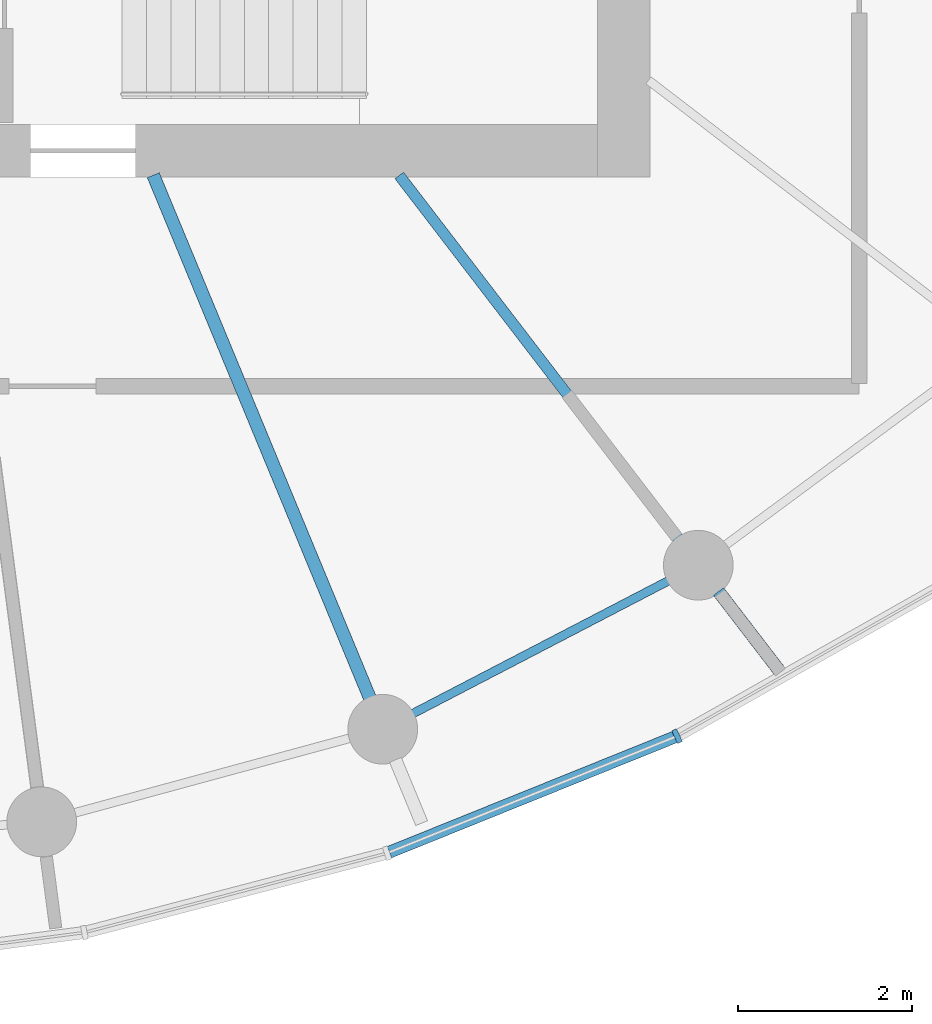
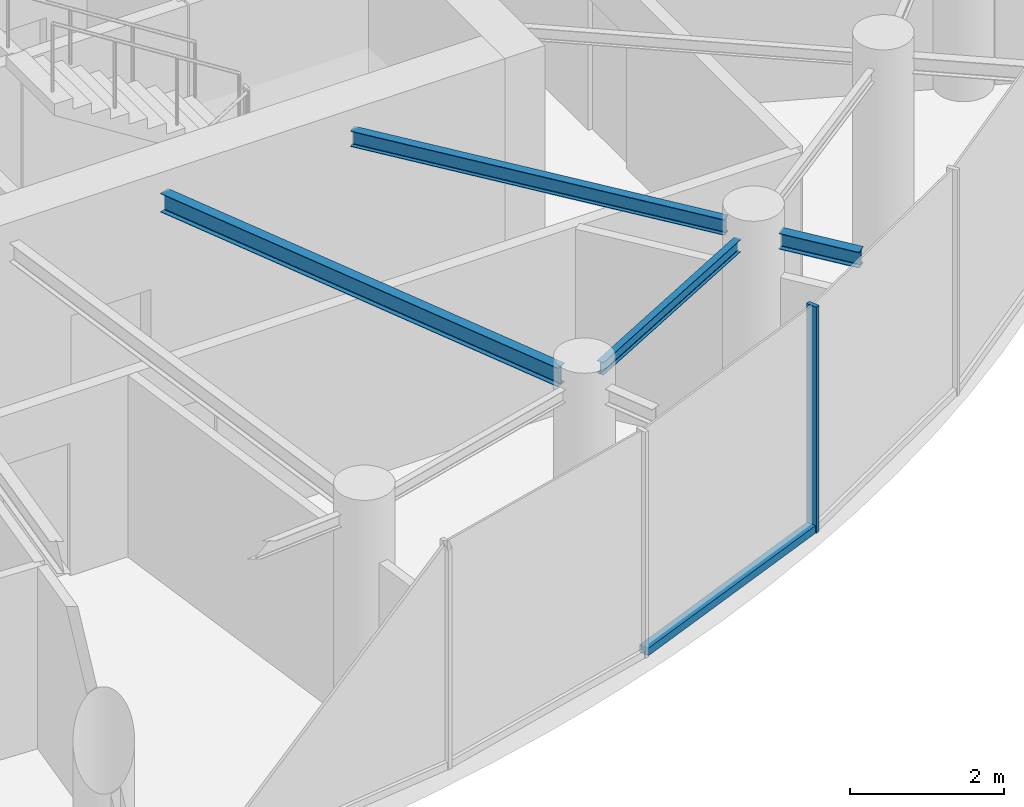
# One storey, part 3 of 13: 4 beams, 2 members, 1 element without a shape of its own.
"""IFC4 building model written with IfcOpenShell, lengths in metres."""

from ifc_helpers import new_model, si_unit, direction, frame, origin, origin_2d, place, context, subcontext, project, spatial, rectangle, i_section, extrude, source, transform, mapped, material, layer, layer_set, material_profile, profile_set, type_object, element, aggregate, save


model = new_model("IFC4")

# Units and contexts
model_context = context("Model", 3, precision=1e-05, world=origin(), true_north=direction((0.0, 1.0)))
body_context = subcontext(model_context, "Body", "Model", "MODEL_VIEW")
ifc_project = project(units=[si_unit("LENGTHUNIT", "METRE"), si_unit("AREAUNIT", "SQUARE_METRE"), si_unit("VOLUMEUNIT", "CUBIC_METRE"), si_unit("PLANEANGLEUNIT", "RADIAN"), si_unit("MASSUNIT", "GRAM", prefix="KILO")], contexts=[model_context])

# Site, building, storey
site_placement = place(None, origin())
site = spatial("IfcSite", under=ifc_project, at=site_placement, CompositionType="ELEMENT")
building_placement = place(site_placement, origin())
building = spatial("IfcBuilding", under=site, at=building_placement, Name="Spindrift Exchange Tower", CompositionType="ELEMENT")
storey_placement = place(building_placement, frame((0.0, 0.0, 257.89990234375)))
storey = spatial("IfcBuildingStorey", under=building, at=storey_placement, Name="L63", CompositionType="ELEMENT", Elevation=257.89990234375)

# Beams
ifc_material_1 = material(Name="Steel Grade 300", Category="steel")
ifc_material_profile_1 = material_profile(ifc_material_1, i_section(OverallWidth=0.14892578125, OverallDepth=0.298095703125, WebThickness=0.005615234375, FlangeThickness=0.008056640625, FilletRadius=0.012939453125, at=origin_2d()), Name="310UB32.0")
ifc_profile_set_1 = profile_set([ifc_material_profile_1], Name="Steel Grade 300")
beam_type_1 = type_object("IfcBeamType", Name="Floor Beam 310UB32.0 Steel Grade 300", PredefinedType="BEAM", material=ifc_profile_set_1)
shared_shape_1 = source(origin(), body_context, "Body", "SweptSolid", [
    extrude(i_section(OverallWidth=0.14892578125, OverallDepth=0.298095703125, WebThickness=0.005615234375, FlangeThickness=0.008056640625, FilletRadius=0.012939453125, at=origin_2d()), origin(), (0.0, 0.0, 1.0), 6.495849609375),
])
beam_1_placement = place(storey_placement, frame((55.30615234375, 40.0185546875, 3.43115234375), z_axis=(0.382677087308, -0.923882160695, 0.0), x_axis=(0.923882160695, 0.382677087308, 0.0)))
element("IfcBeam", 1, at=beam_1_placement, inside=storey, type_object=beam_type_1, Name="L63 radial beam R20A", PredefinedType="BEAM", context=body_context, shape_type="MappedRepresentation", body=[
    mapped(shared_shape_1, transform((0.0, 0.0, 0.0), scale=1.0)),
])
ifc_material_profile_2 = material_profile(ifc_material_1, i_section(OverallWidth=0.1240234375, OverallDepth=0.248046875, WebThickness=0.0048828125, FlangeThickness=0.008056640625, FilletRadius=0.011962890625, at=origin_2d()), Name="250UB25.7")
ifc_profile_set_2 = profile_set([ifc_material_profile_2], Name="Steel Grade 300")
beam_type_2 = type_object("IfcBeamType", Name="Floor Beam 250UB25.7 Steel Grade 300", PredefinedType="BEAM", material=ifc_profile_set_2)
shared_shape_2 = source(origin(), body_context, "Body", "SweptSolid", [
    extrude(i_section(OverallWidth=0.1240234375, OverallDepth=0.248046875, WebThickness=0.0048828125, FlangeThickness=0.008056640625, FilletRadius=0.011962890625, at=origin_2d()), origin(), (0.0, 0.0, 1.0), 5.25341796875),
])
beam_2_placement = place(storey_placement, frame((58.12646484375, 40.015869140625, 3.4560546875), z_axis=(0.608760287872, -0.793354215915, 0.0), x_axis=(0.793354215915, 0.608760287872, 0.0)))
element("IfcBeam", 2, at=beam_2_placement, inside=storey, type_object=beam_type_2, Name="L63 radial beam R21A", PredefinedType="BEAM", context=body_context, shape_type="MappedRepresentation", body=[
    mapped(shared_shape_2, transform((0.0, 0.0, 0.0), scale=1.0)),
])
ifc_material_profile_3 = material_profile(ifc_material_1, i_section(OverallWidth=0.09912109375, OverallDepth=0.197998046875, WebThickness=0.00439453125, FlangeThickness=0.007080078125, FilletRadius=0.010986328125, at=origin_2d()), Name="200UB18.2")
ifc_profile_set_3 = profile_set([ifc_material_profile_3], Name="Steel Grade 300")
beam_type_3 = type_object("IfcBeamType", Name="Edge Beam 200UB18.2 Steel Grade 300", PredefinedType="SPANDREL", material=ifc_profile_set_3)
shared_shape_3 = source(origin(), body_context, "Body", "SweptSolid", [
    extrude(i_section(OverallWidth=0.09912109375, OverallDepth=0.197998046875, WebThickness=0.00439453125, FlangeThickness=0.007080078125, FilletRadius=0.010986328125, at=origin_2d()), origin(), (0.0, 0.0, 1.0), 3.31787109375),
])
beam_3_placement = place(storey_placement, frame((58.2744140625, 33.84130859375, 3.481201171875), z_axis=(0.887327612278, 0.46113957593, 0.0), x_axis=(-0.46113957593, 0.887327612278, 0.0)))
element("IfcBeam", 3, at=beam_3_placement, inside=storey, type_object=beam_type_3, Name="L63 edge beam E20", PredefinedType="SPANDREL", context=body_context, shape_type="MappedRepresentation", body=[
    mapped(shared_shape_3, transform((0.0, 0.0, 0.0), scale=1.0)),
])
ifc_material_profile_4 = material_profile(ifc_material_1, i_section(OverallWidth=0.14599609375, OverallDepth=0.251953125, WebThickness=0.006103515625, FlangeThickness=0.008544921875, FilletRadius=0.011962890625, at=origin_2d()), Name="250UB31.4")
ifc_profile_set_4 = profile_set([ifc_material_profile_4], Name="Steel Grade 300")
beam_type_4 = type_object("IfcBeamType", Name="Cantilever Beam 250UB31.4 Steel Grade 300", PredefinedType="BEAM", material=ifc_profile_set_4)
shared_shape_4 = source(origin(), body_context, "Body", "SweptSolid", [
    extrude(i_section(OverallWidth=0.14599609375, OverallDepth=0.251953125, WebThickness=0.006103515625, FlangeThickness=0.008544921875, FilletRadius=0.011962890625, at=origin_2d()), origin(), (0.0, 0.0, 1.0), 1.13330078125),
])
beam_4_placement = place(storey_placement, frame((61.787109375, 35.245361328125, 3.4541015625), z_axis=(0.608752575912, -0.793360133433, 0.0), x_axis=(0.793360133433, 0.608752575912, 0.0)))
element("IfcBeam", 4, at=beam_4_placement, inside=storey, type_object=beam_type_4, Name="L63 cantilever beam R21T", PredefinedType="BEAM", context=body_context, shape_type="MappedRepresentation", body=[
    mapped(shared_shape_4, transform((0.0, 0.0, 0.0), scale=1.0)),
])

# Curtain wall, members
ifc_material_2 = material(Name="Fritted laminated glass with bronze frame", Category="glass")
ifc_layer = layer(ifc_material_2, 0.159912109375)
ifc_layer_set = layer_set([ifc_layer], Name="ZONE 5 BRONZE FRITTED WALL")
curtain_wall_type = type_object("IfcCurtainWallType", Name="ZONE 5 BRONZE FRITTED WALL", PredefinedType="NOTDEFINED", material=ifc_layer_set)
curtain_wall_placement = place(storey_placement, origin())
curtain_wall = element("IfcCurtainWall", 5, at=curtain_wall_placement, inside=storey, type_object=curtain_wall_type, Name="L63 Zone 5 Bronze Fritted Wall run 5", PredefinedType="NOTDEFINED")
ifc_material_3 = material(Name="Bronze anodised aluminium", Category="aluminium")
ifc_material_profile_5 = material_profile(ifc_material_3, rectangle(XDim=0.06005859375, YDim=0.159912109375, at=origin_2d()), Name="ZONE 5 BRONZE FRITTED WALL MULLION 60X160")
ifc_profile_set_5 = profile_set([ifc_material_profile_5], Name="Bronze anodised aluminium")
member_type_1 = type_object("IfcMemberType", Name="ZONE 5 BRONZE FRITTED WALL MULLION 60X160", PredefinedType="MULLION", material=ifc_profile_set_5)
shared_shape_5 = source(origin(), body_context, "Body", "SweptSolid", [
    extrude(rectangle(XDim=0.06005859375, YDim=0.159912109375, at=origin_2d()), origin(), (0.0, 0.0, 1.0), 3.580078125),
])
member_1_placement = place(storey_placement, frame((61.3115234375, 33.587158203125, 0.0), z_axis=(0.0, 0.0, 1.0), x_axis=(0.900712679446, 0.434415318658, 0.0)))
member_1 = element("IfcMember", 6, at=member_1_placement, type_object=member_type_1, Name="L63 mullion CW-5.28", PredefinedType="MULLION", context=body_context, shape_type="MappedRepresentation", body=[
    mapped(shared_shape_5, transform((0.0, 0.0, 0.0), scale=1.0)),
])
ifc_material_profile_6 = material_profile(ifc_material_3, rectangle(XDim=0.139892578125, YDim=0.1201171875, at=origin_2d()), Name="ZONE 5 BRONZE FRITTED WALL TRANSOM 140X120")
ifc_profile_set_6 = profile_set([ifc_material_profile_6], Name="Bronze anodised aluminium")
member_type_2 = type_object("IfcMemberType", Name="ZONE 5 BRONZE FRITTED WALL TRANSOM 140X120", PredefinedType="USERDEFINED", material=ifc_profile_set_6)
shared_shape_6 = source(origin(), body_context, "Body", "SweptSolid", [
    extrude(rectangle(XDim=0.139892578125, YDim=0.1201171875, at=origin_2d()), origin(), (0.0, 0.0, 1.0), 3.526123046875),
])
member_2_placement = place(storey_placement, frame((58.013916015625, 32.256103515625, 0.06005859375), z_axis=(0.927307010424, 0.374301627593, 0.0), x_axis=(-0.374301627593, 0.927307010424, 0.0)))
member_2 = element("IfcMember", 7, at=member_2_placement, type_object=member_type_2, Name="L63 transom CW-5.27", ObjectType="TRANSOM", PredefinedType="USERDEFINED", context=body_context, shape_type="MappedRepresentation", body=[
    mapped(shared_shape_6, transform((0.0, 0.0, 0.0), scale=1.0)),
])
aggregate(curtain_wall, [member_2, member_1])

save(model, "model.ifc")
